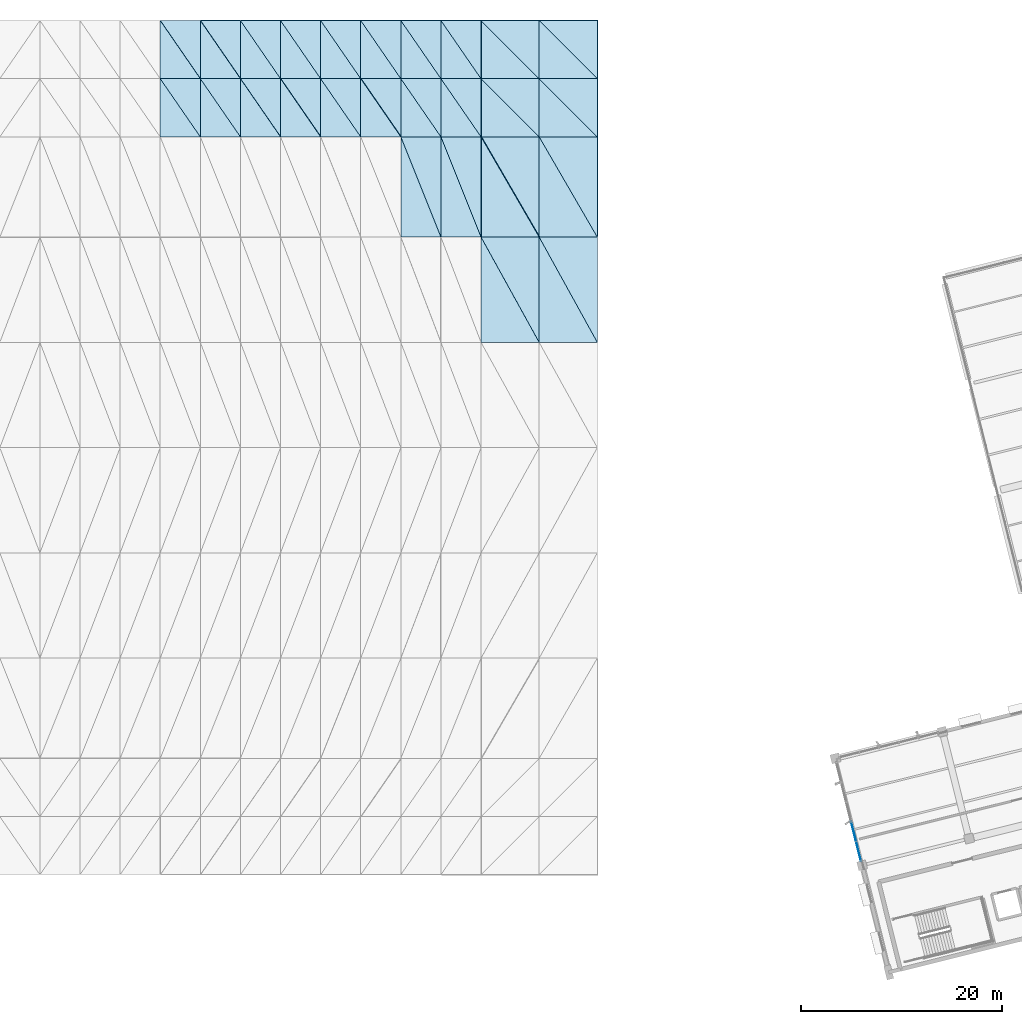
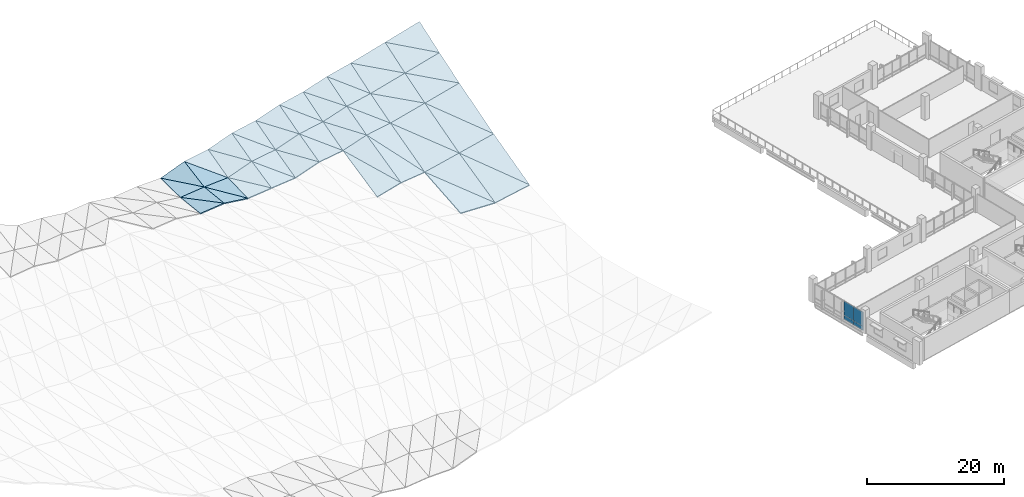
# One storey, part 32 of 42: 52 slabs, 4 plates, 3 elements without a shape of their own.
"""IFC4 building model written with IfcOpenShell, lengths in metres."""

from ifc_helpers import new_model, si_unit, direction, frame, origin, origin_2d, place, context, subcontext, project, spatial, polyline, rectangle, outline, extrude, material, layer, layer_set, type_object, element, aggregate, save


model = new_model("IFC4")

# Units and contexts
model_context = context("Model", 3, precision=1e-05, world=origin(), true_north=direction((0.0, 1.0)))
body_context = subcontext(model_context, "Body", "Model", "MODEL_VIEW")
ifc_project = project(units=[si_unit("LENGTHUNIT", "METRE"), si_unit("AREAUNIT", "SQUARE_METRE"), si_unit("VOLUMEUNIT", "CUBIC_METRE"), si_unit("PLANEANGLEUNIT", "RADIAN"), si_unit("MASSUNIT", "GRAM", prefix="KILO")], contexts=[model_context])

# Site, building, storey
site_placement = place(None, origin())
site = spatial("IfcSite", under=ifc_project, at=site_placement, CompositionType="ELEMENT")
building_placement = place(site_placement, origin())
building = spatial("IfcBuilding", under=site, at=building_placement, Name="Khorjan Park Terminus", CompositionType="ELEMENT")
storey_placement = place(building_placement, frame((0.0, 0.0, 20.4)))
storey = spatial("IfcBuildingStorey", under=building, at=storey_placement, Name="L04", CompositionType="ELEMENT", Elevation=20.4)

# Curtain wall, plates
ifc_material_1 = material(Name="Anodized Bronze Aluminium", Category="aluminium")
ifc_layer_1 = layer(ifc_material_1, 0.22)
ifc_layer_set_1 = layer_set([ifc_layer_1], Name="Anodized Bronze Aluminium")
curtain_wall_type = type_object("IfcCurtainWallType", Name="CW-OPS-B", PredefinedType="NOTDEFINED", material=ifc_layer_set_1)
curtain_wall_placement = place(storey_placement, origin())
curtain_wall = element("IfcCurtainWall", 1, at=curtain_wall_placement, inside=storey, type_object=curtain_wall_type, Name="Unitized curtain wall CW-B (CW-V5-W-L04-B01)", PredefinedType="NOTDEFINED")
ifc_material_2 = material(Name="Acoustic Laminated Solar Glazing", Category="glass")
ifc_layer_2 = layer(ifc_material_2, 0.036)
ifc_layer_set_2 = layer_set([ifc_layer_2], Name="Acoustic Laminated Solar Glazing")
plate_type_1 = type_object("IfcPlateType", Name="GL-VIS-36", PredefinedType="CURTAIN_PANEL", material=ifc_layer_set_2)
plate_1_placement = place(storey_placement, frame((173.1722, 18.7032, 0.716), z_axis=(0.0, 0.0, 1.0), x_axis=(0.241927656308, -0.970294289952, 0.0)))
plate_1 = element("IfcPlate", 2, at=plate_1_placement, type_object=plate_type_1, Name="Curtain-wall panel VP-36 (CW-V5-W-L04-B01-3-2)", PredefinedType="CURTAIN_PANEL", context=body_context, shape_type="SweptSolid", body=[
    extrude(rectangle(XDim=2.0281, YDim=0.036, at=origin_2d()), origin(), (0.0, 0.0, 1.0), 2.549),
])
plate_2_placement = place(storey_placement, frame((173.6628, 16.7353, 0.716), z_axis=(0.0, 0.0, 1.0), x_axis=(0.241927656308, -0.970294289952, 0.0)))
plate_2 = element("IfcPlate", 3, at=plate_2_placement, type_object=plate_type_1, Name="Curtain-wall panel VP-36 (CW-V5-W-L04-B01-4-2)", PredefinedType="CURTAIN_PANEL", context=body_context, shape_type="SweptSolid", body=[
    extrude(rectangle(XDim=2.0281, YDim=0.036, at=origin_2d()), origin(), (0.0, 0.0, 1.0), 2.549),
])

# Roof, slabs
ifc_material_3 = material(Name="Concrete C50/60", Category="concrete")
ifc_layer_3 = layer(ifc_material_3, 0.18)
ifc_layer_set_3 = layer_set([ifc_layer_3], Name="Concrete C50/60")
roof_type = type_object("IfcRoofType", Name="RF-SHELL-UPPER", PredefinedType="FREEFORM", material=ifc_layer_set_3)
roof_1_placement = place(storey_placement, origin())
roof_1 = element("IfcRoof", 4, at=roof_1_placement, inside=storey, type_object=roof_type, Name="Upper concourse upturned-corner folded concrete shell roof RF-CS1 (3)", PredefinedType="FREEFORM")
ifc_layer_4 = layer(ifc_material_3, 0.18)
ifc_layer_set_4 = layer_set([ifc_layer_4], Name="Concrete C50/60")
slab_type = type_object("IfcSlabType", Name="SL-SHL-180", PredefinedType="ROOF", material=ifc_layer_set_4)
slab_1_placement = place(storey_placement, frame((104.0, 88.0, 1.5077), z_axis=(-0.106052306747, 0.113064775579, 0.987911567276), x_axis=(0.994287316425, 0.0, 0.106736743418)))
slab_1 = element("IfcSlab", 5, at=slab_1_placement, type_object=slab_type, Name="Upper concourse folded concrete shell facet RS-18 (337)", PredefinedType="ROOF", context=body_context, shape_type="SweptSolid", body=[
    extrude(outline(polyline([(0.0, 0.0), (4.022982023325484, 0.0), (-0.07085185028104683, 5.837431837316109), (0.0, 0.0)])), origin(), (0.0, 0.0, -1.0), 0.18),
])
slab_2_placement = place(storey_placement, frame((108.0, 88.0, 1.9371), z_axis=(-0.111909060679, 0.108990167749, 0.987723395224), x_axis=(0.0, 0.993967046792, -0.109679122405)))
slab_2 = element("IfcSlab", 6, at=slab_2_placement, type_object=slab_type, Name="Upper concourse folded concrete shell facet RS-18 (338)", PredefinedType="ROOF", context=body_context, shape_type="SweptSolid", body=[
    extrude(outline(polyline([(0.0, 0.0), (5.8352035097329695, 1.3877787807814457e-17), (5.8849100880067535, 4.025285020476974), (0.0, 0.0)])), origin(), (0.0, 0.0, -1.0), 0.18),
])
slab_3_placement = place(storey_placement, frame((104.0, 93.8, 0.8439), z_axis=(-0.112567782973, 0.014560461321, 0.993537360748), x_axis=(0.993642695952, 0.0, 0.112579717451)))
slab_3 = element("IfcSlab", 7, at=slab_3_placement, type_object=slab_type, Name="Upper concourse folded concrete shell facet RS-18 (339)", PredefinedType="ROOF", context=body_context, shape_type="SweptSolid", body=[
    extrude(outline(polyline([(0.0, 0.0), (4.025591911756581, -8.673617379884035e-19), (-0.009569275983364914, 5.800614918175238), (0.0, 0.0)])), origin(), (0.0, 0.0, -1.0), 0.18),
])
slab_4_placement = place(storey_placement, frame((108.0, 93.8, 1.2971), z_axis=(-0.360874271087, -0.163681902497, 0.918138331224), x_axis=(0.0, 0.9844778899, 0.17550864451)))
slab_4 = element("IfcSlab", 8, at=slab_4_placement, type_object=slab_type, Name="Upper concourse folded concrete shell facet RS-18 (340)", PredefinedType="ROOF", context=body_context, shape_type="SweptSolid", body=[
    extrude(outline(polyline([(0.0, 0.0), (5.891447699844239, 0.0), (5.615513008945942, 4.289017706463669), (0.0, 0.0)])), origin(), (0.0, 0.0, -1.0), 0.18),
])
slab_5_placement = place(storey_placement, frame((108.0, 88.0, 1.9371), z_axis=(0.129240848662, 0.108759269115, 0.985630876352), x_axis=(0.9915124119, 0.0, -0.13001206501)))
slab_5 = element("IfcSlab", 9, at=slab_5_placement, type_object=slab_type, Name="Upper concourse folded concrete shell facet RS-18 (357)", PredefinedType="ROOF", context=body_context, shape_type="SweptSolid", body=[
    extrude(outline(polyline([(0.0, 0.0), (4.034240975697907, 6.938893903907228e-18), (0.08320772160664718, 5.834610224776373), (0.0, 0.0)])), origin(), (0.0, 0.0, -1.0), 0.18),
])
slab_6_placement = place(storey_placement, frame((112.0, 88.0, 1.4126), z_axis=(-0.065984038894, -0.02564240154, 0.997491139737), x_axis=(0.0, 0.999669741413, 0.025698406628)))
slab_6 = element("IfcSlab", 10, at=slab_6_placement, type_object=slab_type, Name="Upper concourse folded concrete shell facet RS-18 (358)", PredefinedType="ROOF", context=body_context, shape_type="SweptSolid", body=[
    extrude(outline(polyline([(0.0, 0.0), (5.801916132623771, 0.0), (5.795116334229898, 4.008736324921085), (0.0, 0.0)])), origin(), (0.0, 0.0, -1.0), 0.18),
])
slab_7_placement = place(storey_placement, frame((108.0, 93.8, 1.2971), z_axis=(-0.064985555279, -0.175137655168, 0.9823969052), x_axis=(0.9978192431, 0.0, 0.066005742931)))
slab_7 = element("IfcSlab", 11, at=slab_7_placement, type_object=slab_type, Name="Upper concourse folded concrete shell facet RS-18 (359)", PredefinedType="ROOF", context=body_context, shape_type="SweptSolid", body=[
    extrude(outline(polyline([(0.0, 0.0), (4.00874209197848, 6.938893903907228e-18), (0.06824993819070337, 5.891052363197677), (0.0, 0.0)])), origin(), (0.0, 0.0, -1.0), 0.18),
])
slab_8_placement = place(storey_placement, frame((112.0, 93.8, 1.5617), z_axis=(-0.177038961691, -0.248427917344, 0.952334382414), x_axis=(0.0, 0.967619044028, 0.252415105796)))
slab_8 = element("IfcSlab", 12, at=slab_8_placement, type_object=slab_type, Name="Upper concourse folded concrete shell facet RS-18 (360)", PredefinedType="ROOF", context=body_context, shape_type="SweptSolid", body=[
    extrude(outline(polyline([(0.0, 0.0), (5.9940945104327445, 5.551115123125783e-17), (5.806398637763101, 4.064198717998762), (0.0, 0.0)])), origin(), (0.0, 0.0, -1.0), 0.18),
])
slab_9_placement = place(storey_placement, frame((112.0, 88.0, 1.4126), z_axis=(-0.106701894098, -0.025551695887, 0.993962683723), x_axis=(0.994287316425, 0.0, 0.106736743418)))
slab_9 = element("IfcSlab", 13, at=slab_9_placement, type_object=slab_type, Name="Upper concourse folded concrete shell facet RS-18 (377)", PredefinedType="ROOF", context=body_context, shape_type="SweptSolid", body=[
    extrude(outline(polyline([(0.0, 0.0), (4.022982023325484, 1.734723475976807e-18), (0.015914448443663996, 5.80189430620127), (0.0, 0.0)])), origin(), (0.0, 0.0, -1.0), 0.18),
])
slab_10_placement = place(storey_placement, frame((116.0, 88.0, 1.842), z_axis=(-0.342548023853, -0.191792388171, 0.919715462083), x_axis=(0.0, 0.978941084388, 0.204142972684)))
slab_10 = element("IfcSlab", 14, at=slab_10_placement, type_object=slab_type, Name="Upper concourse folded concrete shell facet RS-18 (378)", PredefinedType="ROOF", context=body_context, shape_type="SweptSolid", body=[
    extrude(outline(polyline([(0.0, 0.0), (5.924769214914617, -5.551115123125783e-17), (5.620637014209824, 4.257582370840811), (0.0, 0.0)])), origin(), (0.0, 0.0, -1.0), 0.18),
])
slab_11_placement = place(storey_placement, frame((112.0, 93.8, 1.5617), z_axis=(-0.339044014736, -0.237464688292, 0.91030746338), x_axis=(0.937112467786, 0.0, 0.349027538627)))
slab_11 = element("IfcSlab", 15, at=slab_11_placement, type_object=slab_type, Name="Upper concourse folded concrete shell facet RS-18 (379)", PredefinedType="ROOF", context=body_context, shape_type="SweptSolid", body=[
    extrude(outline(polyline([(0.0, 0.0), (4.268431098190528, 0.0), (0.5280786659425144, 5.970787378778142), (0.0, 0.0)])), origin(), (0.0, 0.0, -1.0), 0.18),
])
slab_12_placement = place(storey_placement, frame((116.0, 93.8, 3.0515), z_axis=(-0.338798545373, -0.237295940621, 0.910442849507), x_axis=(0.0, 0.967671996782, 0.252212027161)))
slab_12 = element("IfcSlab", 16, at=slab_12_placement, type_object=slab_type, Name="Upper concourse folded concrete shell facet RS-18 (380)", PredefinedType="ROOF", context=body_context, shape_type="SweptSolid", body=[
    extrude(outline(polyline([(0.0, 0.0), (5.993766502792711, 0.0), (5.618348900363326, 4.251434331350559), (0.0, 0.0)])), origin(), (0.0, 0.0, -1.0), 0.18),
])
slab_13_placement = place(storey_placement, frame((116.0, 88.0, 1.842), z_axis=(-0.100756100536, -0.203104120929, 0.973959405862), x_axis=(0.994691618291, 0.0, 0.102900847912)))
slab_13 = element("IfcSlab", 17, at=slab_13_placement, type_object=slab_type, Name="Upper concourse folded concrete shell facet RS-18 (397)", PredefinedType="ROOF", context=body_context, shape_type="SweptSolid", body=[
    extrude(outline(polyline([(0.0, 0.0), (4.021346844031238, 0.0), (0.12445857554984618, 5.923461852073674), (0.0, 0.0)])), origin(), (0.0, 0.0, -1.0), 0.18),
])
slab_14_placement = place(storey_placement, frame((120.0, 88.0, 2.2558), z_axis=(-0.162921516608, -0.243528367821, 0.956112186667), x_axis=(0.0, 0.969059763172, 0.246826204851)))
slab_14 = element("IfcSlab", 18, at=slab_14_placement, type_object=slab_type, Name="Upper concourse folded concrete shell facet RS-18 (398)", PredefinedType="ROOF", context=body_context, shape_type="SweptSolid", body=[
    extrude(outline(polyline([(0.0, 0.0), (5.985182978823619, -2.7755575615628914e-17), (5.816946237597386, 4.054167603701353), (0.0, 0.0)])), origin(), (0.0, 0.0, -1.0), 0.18),
])
slab_15_placement = place(storey_placement, frame((116.0, 93.8, 3.0515), z_axis=(-0.162694380811, -0.248851683131, 0.954779230113), x_axis=(0.985790621278, 0.0, 0.167978721866)))
slab_15 = element("IfcSlab", 19, at=slab_15_placement, type_object=slab_type, Name="Upper concourse folded concrete shell facet RS-18 (399)", PredefinedType="ROOF", context=body_context, shape_type="SweptSolid", body=[
    extrude(outline(polyline([(0.0, 0.0), (4.057656781937082, -2.7755575615628914e-17), (0.2539334338445723, 5.98838498271244), (0.0, 0.0)])), origin(), (0.0, 0.0, -1.0), 0.18),
])
slab_16_placement = place(storey_placement, frame((120.0, 93.8, 3.7331), z_axis=(-0.19504550156, -0.26948354163, 0.94304606097), x_axis=(0.0, 0.961512686437, 0.274760539052)))
slab_16 = element("IfcSlab", 20, at=slab_16_placement, type_object=slab_type, Name="Upper concourse folded concrete shell facet RS-18 (400)", PredefinedType="ROOF", context=body_context, shape_type="SweptSolid", body=[
    extrude(outline(polyline([(0.0, 0.0), (6.032161698761065, 5.551115123125783e-17), (5.804852304803402, 4.07832756524272), (0.0, 0.0)])), origin(), (0.0, 0.0, -1.0), 0.18),
])
slab_17_placement = place(storey_placement, frame((120.0, 88.0, 2.2558), z_axis=(-0.324587654526, -0.233461953105, 0.916590623442), x_axis=(0.942639584618, 0.0, 0.333812242903)))
slab_17 = element("IfcSlab", 21, at=slab_17_placement, type_object=slab_type, Name="Upper concourse folded concrete shell facet RS-18 (417)", PredefinedType="ROOF", context=body_context, shape_type="SweptSolid", body=[
    extrude(outline(polyline([(0.0, 0.0), (4.243403380542557, 0.0), (0.49314082644022433, 5.964832555512169), (0.0, 0.0)])), origin(), (0.0, 0.0, -1.0), 0.18),
])
slab_18_placement = place(storey_placement, frame((124.0, 88.0, 3.6723), z_axis=(-0.324182150725, -0.233184539685, 0.916804724902), x_axis=(0.0, 0.969143637931, 0.246496671496)))
slab_18 = element("IfcSlab", 22, at=slab_18_placement, type_object=slab_type, Name="Upper concourse folded concrete shell facet RS-18 (418)", PredefinedType="ROOF", context=body_context, shape_type="SweptSolid", body=[
    extrude(outline(polyline([(0.0, 0.0), (5.984664989788483, -1.1102230246251565e-16), (5.636020097624895, 4.228353592022342), (0.0, 0.0)])), origin(), (0.0, 0.0, -1.0), 0.18),
])
slab_19_placement = place(storey_placement, frame((120.0, 93.8, 3.7331), z_axis=(-0.321894998392, -0.260136512295, 0.910336533915), x_axis=(0.942795230781, 0.0, 0.333372393604)))
slab_19 = element("IfcSlab", 23, at=slab_19_placement, type_object=slab_type, Name="Upper concourse folded concrete shell facet RS-18 (419)", PredefinedType="ROOF", context=body_context, shape_type="SweptSolid", body=[
    extrude(outline(polyline([(0.0, 0.0), (4.2427028366360995, -5.551115123125783e-17), (0.5525314051593266, 6.0068031269813265), (0.0, 0.0)])), origin(), (0.0, 0.0, -1.0), 0.18),
])
slab_20_placement = place(storey_placement, frame((124.0, 93.8, 5.1475), z_axis=(-0.320059797691, -0.258912563151, 0.911331997981), x_axis=(0.0, 0.961932186661, 0.273288251238)))
slab_20 = element("IfcSlab", 24, at=slab_20_placement, type_object=slab_type, Name="Upper concourse folded concrete shell facet RS-18 (420)", PredefinedType="ROOF", context=body_context, shape_type="SweptSolid", body=[
    extrude(outline(polyline([(0.0, 0.0), (6.029531063026375, -1.1102230246251565e-16), (5.645615727687158, 4.22209332621762), (0.0, 0.0)])), origin(), (0.0, 0.0, -1.0), 0.18),
])
aggregate(roof_1, [slab_1, slab_2, slab_3, slab_4, slab_5, slab_6, slab_7, slab_8, slab_9, slab_10, slab_11, slab_12, slab_13, slab_14, slab_15, slab_16, slab_17, slab_18, slab_19, slab_20])

roof_2_placement = place(storey_placement, origin())
roof_2 = element("IfcRoof", 25, at=roof_2_placement, inside=storey, type_object=roof_type, Name="Upper concourse upturned-corner folded concrete shell roof RF-CS1 (4)", PredefinedType="FREEFORM")
slab_21_placement = place(storey_placement, frame((124.0, 88.0, 3.6723), z_axis=(-0.150588125048, -0.243685768742, 0.958092095107), x_axis=(0.987872255403, 0.0, 0.155268821743)))
slab_21 = element("IfcSlab", 26, at=slab_21_placement, type_object=slab_type, Name="Upper concourse folded concrete shell facet RS-18 (437)", PredefinedType="ROOF", context=body_context, shape_type="SweptSolid", body=[
    extrude(outline(polyline([(0.0, 0.0), (4.049106529840874, -2.7755575615628914e-17), (0.22905256583517253, 5.980280090604813), (0.0, 0.0)])), origin(), (0.0, 0.0, -1.0), 0.18),
])
slab_22_placement = place(storey_placement, frame((128.0, 88.0, 4.301), z_axis=(-0.183120010139, -0.264480198647, 0.946845967626), x_axis=(0.0, 0.963131983886, 0.269029332258)))
slab_22 = element("IfcSlab", 27, at=slab_22_placement, type_object=slab_type, Name="Upper concourse folded concrete shell facet RS-18 (438)", PredefinedType="ROOF", context=body_context, shape_type="SweptSolid", body=[
    extrude(outline(polyline([(0.0, 0.0), (6.022019927731889, -5.551115123125783e-17), (5.8138988362973665, 4.0688011221120295), (0.0, 0.0)])), origin(), (0.0, 0.0, -1.0), 0.18),
])
slab_23_placement = place(storey_placement, frame((124.0, 93.8, 5.1475), z_axis=(-0.182899528661, -0.268678318411, 0.945705939302), x_axis=(0.981807019959, 0.0, 0.18988147766)))
slab_23 = element("IfcSlab", 28, at=slab_23_placement, type_object=slab_type, Name="Upper concourse folded concrete shell facet RS-18 (439)", PredefinedType="ROOF", context=body_context, shape_type="SweptSolid", body=[
    extrude(outline(polyline([(0.0, 0.0), (4.074120390955574, 2.7755575615628914e-17), (0.312886698888399, 6.0214073731693905), (0.0, 0.0)])), origin(), (0.0, 0.0, -1.0), 0.18),
])
slab_24_placement = place(storey_placement, frame((128.0, 93.8, 5.9211), z_axis=(-0.212692000557, -0.287442945906, 0.933883646793), x_axis=(0.0, 0.955751926517, 0.294173851589)))
slab_24 = element("IfcSlab", 29, at=slab_24_placement, type_object=slab_type, Name="Upper concourse folded concrete shell facet RS-18 (440)", PredefinedType="ROOF", context=body_context, shape_type="SweptSolid", body=[
    extrude(outline(polyline([(0.0, 0.0), (6.0685203336563, 0.0), (5.800527954858397, 4.0936659713399), (0.0, 0.0)])), origin(), (0.0, 0.0, -1.0), 0.18),
])
slab_25_placement = place(storey_placement, frame((128.0, 78.0, 2.1208), z_axis=(-0.264906950261, -0.205405933301, 0.942142616735), x_axis=(0.962669755627, 0.0, 0.270678668538)))
slab_25 = element("IfcSlab", 30, at=slab_25_placement, type_object=slab_type, Name="Upper concourse folded concrete shell facet RS-18 (455)", PredefinedType="ROOF", context=body_context, shape_type="SweptSolid", body=[
    extrude(outline(polyline([(0.0, 0.0), (4.1551113210117485, 2.7755575615628914e-17), (0.5901336331472646, 10.217877193185892), (0.0, 0.0)])), origin(), (0.0, 0.0, -1.0), 0.18),
])
slab_26_placement = place(storey_placement, frame((132.0, 78.0, 3.2455), z_axis=(-0.311681983552, -0.222184563303, 0.923844338057), x_axis=(0.0, 0.972276874477, 0.233832588312)))
slab_26 = element("IfcSlab", 31, at=slab_26_placement, type_object=slab_type, Name="Upper concourse folded concrete shell facet RS-18 (456)", PredefinedType="ROOF", context=body_context, shape_type="SweptSolid", body=[
    extrude(outline(polyline([(0.0, 0.0), (10.285136119663171, 0.0), (9.9695790417364, 4.209699987002674), (0.0, 0.0)])), origin(), (0.0, 0.0, -1.0), 0.18),
])
slab_27_placement = place(storey_placement, frame((128.0, 88.0, 4.301), z_axis=(-0.309031581188, -0.255860824409, 0.915988384403), x_axis=(0.947528159205, 0.0, 0.319672312712)))
slab_27 = element("IfcSlab", 32, at=slab_27_placement, type_object=slab_type, Name="Upper concourse folded concrete shell facet RS-18 (457)", PredefinedType="ROOF", context=body_context, shape_type="SweptSolid", body=[
    extrude(outline(polyline([(0.0, 0.0), (4.221510422822618, 0.0), (0.5179011138241282, 5.999708530112084), (0.0, 0.0)])), origin(), (0.0, 0.0, -1.0), 0.18),
])
slab_28_placement = place(storey_placement, frame((132.0, 88.0, 5.6505), z_axis=(-0.306984365035, -0.254498742736, 0.917055608766), x_axis=(0.0, 0.963582621703, 0.267410791016)))
slab_28 = element("IfcSlab", 33, at=slab_28_placement, type_object=slab_type, Name="Upper concourse folded concrete shell facet RS-18 (458)", PredefinedType="ROOF", context=body_context, shape_type="SweptSolid", body=[
    extrude(outline(polyline([(0.0, 0.0), (6.019203615097265, 0.0), (5.661140565926735, 4.202940857639887), (0.0, 0.0)])), origin(), (0.0, 0.0, -1.0), 0.18),
])
slab_29_placement = place(storey_placement, frame((128.0, 93.8, 5.9211), z_axis=(-0.304722123634, -0.280183325236, 0.910297606076), x_axis=(0.948279508814, 0.0, 0.317436565575)))
slab_29 = element("IfcSlab", 34, at=slab_29_placement, type_object=slab_type, Name="Upper concourse folded concrete shell facet RS-18 (459)", PredefinedType="ROOF", context=body_context, shape_type="SweptSolid", body=[
    extrude(outline(polyline([(0.0, 0.0), (4.218165596559718, -5.551115123125783e-17), (0.5666877568651083, 6.042003312331032), (0.0, 0.0)])), origin(), (0.0, 0.0, -1.0), 0.18),
])
slab_30_placement = place(storey_placement, frame((132.0, 93.8, 7.2601), z_axis=(-0.301256550335, -0.277934898247, 0.912138521945), x_axis=(0.0, 0.956578153844, 0.291475960567)))
slab_30 = element("IfcSlab", 35, at=slab_30_placement, type_object=slab_type, Name="Upper concourse folded concrete shell facet RS-18 (460)", PredefinedType="ROOF", context=body_context, shape_type="SweptSolid", body=[
    extrude(outline(polyline([(0.0, 0.0), (6.0632787574051035, 1.1102230246251565e-16), (5.67820986590007, 4.19488106610844), (0.0, 0.0)])), origin(), (0.0, 0.0, -1.0), 0.18),
])
slab_31_placement = place(storey_placement, frame((132.0, 78.0, 3.2455), z_axis=(-0.114910383144, -0.232283649053, 0.9658363786), x_axis=(0.992996736267, 0.0, 0.118141786697)))
slab_31 = element("IfcSlab", 36, at=slab_31_placement, type_object=slab_type, Name="Upper concourse folded concrete shell facet RS-18 (475)", PredefinedType="ROOF", context=body_context, shape_type="SweptSolid", body=[
    extrude(outline(polyline([(0.0, 0.0), (4.028210621355344, 0.0), (0.2841309970070315, 10.281210754407276), (0.0, 0.0)])), origin(), (0.0, 0.0, -1.0), 0.18),
])
slab_32_placement = place(storey_placement, frame((136.0, 78.0, 3.7214), z_axis=(-0.173486345816, -0.253003102153, 0.951783545832), x_axis=(0.0, 0.966438351588, 0.256898642619)))
slab_32 = element("IfcSlab", 37, at=slab_32_placement, type_object=slab_type, Name="Upper concourse folded concrete shell facet RS-18 (476)", PredefinedType="ROOF", context=body_context, shape_type="SweptSolid", body=[
    extrude(outline(polyline([(0.0, 0.0), (10.347271487691815, 0.0), (10.159966687358184, 4.0615888174176344), (0.0, 0.0)])), origin(), (0.0, 0.0, -1.0), 0.18),
])
slab_33_placement = place(storey_placement, frame((132.0, 88.0, 5.6505), z_axis=(-0.172989073563, -0.263379237329, 0.949055402899), x_axis=(0.983790717148, 0.0, 0.179320452968)))
slab_33 = element("IfcSlab", 38, at=slab_33_placement, type_object=slab_type, Name="Upper concourse folded concrete shell facet RS-18 (477)", PredefinedType="ROOF", context=body_context, shape_type="SweptSolid", body=[
    extrude(outline(polyline([(0.0, 0.0), (4.065905410852545, 2.7755575615628914e-17), (0.28863420109764065, 6.012279306382622), (0.0, 0.0)])), origin(), (0.0, 0.0, -1.0), 0.18),
])
slab_34_placement = place(storey_placement, frame((136.0, 88.0, 6.3796), z_axis=(-0.202924788483, -0.282288812043, 0.937621755728), x_axis=(0.0, 0.95754410517, 0.288286813181)))
slab_34 = element("IfcSlab", 39, at=slab_34_placement, type_object=slab_type, Name="Upper concourse folded concrete shell facet RS-18 (478)", PredefinedType="ROOF", context=body_context, shape_type="SweptSolid", body=[
    extrude(outline(polyline([(0.0, 0.0), (6.057162243163045, -5.551115123125783e-17), (5.807592348992504, 4.084990986272026), (0.0, 0.0)])), origin(), (0.0, 0.0, -1.0), 0.18),
])
slab_35_placement = place(storey_placement, frame((132.0, 93.8, 7.2601), z_axis=(-0.202728499291, -0.285423457833, 0.936714793998), x_axis=(0.977371995553, 0.0, 0.211527734137)))
slab_35 = element("IfcSlab", 40, at=slab_35_placement, type_object=slab_type, Name="Upper concourse folded concrete shell facet RS-18 (479)", PredefinedType="ROOF", context=body_context, shape_type="SweptSolid", body=[
    extrude(outline(polyline([(0.0, 0.0), (4.09260754165361, 0.0), (0.37383296454118975, 6.051743402080289), (0.0, 0.0)])), origin(), (0.0, 0.0, -1.0), 0.18),
])
slab_36_placement = place(storey_placement, frame((136.0, 93.8, 8.1258), z_axis=(-0.230024559333, -0.302427397526, 0.925000741259), x_axis=(0.0, 0.950488250775, 0.310760494818)))
slab_36 = element("IfcSlab", 41, at=slab_36_placement, type_object=slab_type, Name="Upper concourse folded concrete shell facet RS-18 (480)", PredefinedType="ROOF", context=body_context, shape_type="SweptSolid", body=[
    extrude(outline(polyline([(0.0, 0.0), (6.102126980815785, 1.6653345369377348e-16), (5.793013516620415, 4.11021616904186), (0.0, 0.0)])), origin(), (0.0, 0.0, -1.0), 0.18),
])
slab_37_placement = place(storey_placement, frame((136.0, 67.5, 2.8009), z_axis=(0.032770428651, -0.087284812056, 0.99564424399), x_axis=(0.999458780806, 0.0, -0.032895979527)))
slab_37 = element("IfcSlab", 42, at=slab_37_placement, type_object=slab_type, Name="Upper concourse folded concrete shell facet RS-18 (493)", PredefinedType="ROOF", context=body_context, shape_type="SweptSolid", body=[
    extrude(outline(polyline([(0.0, 0.0), (5.803140771168672, -3.469446951953614e-18), (-0.03028074915449812, 10.540227859312656), (0.0, 0.0)])), origin(), (0.0, 0.0, -1.0), 0.18),
])
slab_38_placement = place(storey_placement, frame((141.8, 67.5, 2.61), z_axis=(-0.222900399784, -0.223560551112, 0.948860417429), x_axis=(0.0, 0.973348678928, 0.229330218743)))
slab_38 = element("IfcSlab", 43, at=slab_38_placement, type_object=slab_type, Name="Upper concourse folded concrete shell facet RS-18 (494)", PredefinedType="ROOF", context=body_context, shape_type="SweptSolid", body=[
    extrude(outline(polyline([(0.0, 0.0), (10.787501156894491, 0.0), (10.475038733857279, 5.949686839169759), (0.0, 0.0)])), origin(), (0.0, 0.0, -1.0), 0.18),
])
slab_39_placement = place(storey_placement, frame((136.0, 78.0, 3.7214), z_axis=(-0.221395740689, -0.250523458042, 0.942455263116), x_axis=(0.973499651722, 0.0, 0.228688495771)))
slab_39 = element("IfcSlab", 44, at=slab_39_placement, type_object=slab_type, Name="Upper concourse folded concrete shell facet RS-18 (495)", PredefinedType="ROOF", context=body_context, shape_type="SweptSolid", body=[
    extrude(outline(polyline([(0.0, 0.0), (5.957886055473042, -5.551115123125783e-17), (0.6078997594579587, 10.329399068796352), (0.0, 0.0)])), origin(), (0.0, 0.0, -1.0), 0.18),
])
slab_40_placement = place(storey_placement, frame((141.8, 78.0, 5.0839), z_axis=(-0.245744419081, -0.263402504219, 0.932860547596), x_axis=(0.0, 0.962372013893, 0.271735361843)))
slab_40 = element("IfcSlab", 45, at=slab_40_placement, type_object=slab_type, Name="Upper concourse folded concrete shell facet RS-18 (496)", PredefinedType="ROOF", context=body_context, shape_type="SweptSolid", body=[
    extrude(outline(polyline([(0.0, 0.0), (10.390992106627742, 0.0), (9.975807647268152, 5.9834856291885945), (0.0, 0.0)])), origin(), (0.0, 0.0, -1.0), 0.18),
])
slab_41_placement = place(storey_placement, frame((136.0, 88.0, 6.3796), z_axis=(-0.244585523529, -0.279530886305, 0.9284613106), x_axis=(0.967009499939, 0.0, 0.254740312923)))
slab_41 = element("IfcSlab", 46, at=slab_41_placement, type_object=slab_type, Name="Upper concourse folded concrete shell facet RS-18 (497)", PredefinedType="ROOF", context=body_context, shape_type="SweptSolid", body=[
    extrude(outline(polyline([(0.0, 0.0), (5.997872823760116, -1.6653345369377348e-16), (0.4448275344270146, 6.040806477997417), (0.0, 0.0)])), origin(), (0.0, 0.0, -1.0), 0.18),
])
slab_42_placement = place(storey_placement, frame((141.8, 88.0, 7.9075), z_axis=(-0.255776881502, -0.29048139591, 0.922062224321), x_axis=(0.0, 0.953789220294, 0.300476493676)))
slab_42 = element("IfcSlab", 47, at=slab_42_placement, type_object=slab_type, Name="Upper concourse folded concrete shell facet RS-18 (498)", PredefinedType="ROOF", context=body_context, shape_type="SweptSolid", body=[
    extrude(outline(polyline([(0.0, 0.0), (6.08100812694737, 0.0), (5.597571496272162, 5.999570670816498), (0.0, 0.0)])), origin(), (0.0, 0.0, -1.0), 0.18),
])
slab_43_placement = place(storey_placement, frame((136.0, 93.8, 8.1258), z_axis=(-0.254949295013, -0.300491235088, 0.919078818496), x_axis=(0.963612582455, 0.0, 0.267302807571)))
slab_43 = element("IfcSlab", 48, at=slab_43_placement, type_object=slab_type, Name="Upper concourse folded concrete shell facet RS-18 (499)", PredefinedType="ROOF", context=body_context, shape_type="SweptSolid", body=[
    extrude(outline(polyline([(0.0, 0.0), (6.019016465337184, 0.0), (0.5068863139966645, 6.081037736659988), (0.0, 0.0)])), origin(), (0.0, 0.0, -1.0), 0.18),
])
slab_44_placement = place(storey_placement, frame((141.8, 93.8, 9.7347), z_axis=(-0.264398728306, -0.30965673576, 0.913348793435), x_axis=(0.0, 0.947051068771, 0.321082969247)))
slab_44 = element("IfcSlab", 49, at=slab_44_placement, type_object=slab_type, Name="Upper concourse folded concrete shell facet RS-18 (500)", PredefinedType="ROOF", context=body_context, shape_type="SweptSolid", body=[
    extrude(outline(polyline([(0.0, 0.0), (6.124273749596761, -5.551115123125783e-17), (5.5851754442315915, 6.01401812577519), (0.0, 0.0)])), origin(), (0.0, 0.0, -1.0), 0.18),
])
slab_45_placement = place(storey_placement, frame((141.8, 67.5, 2.61), z_axis=(-0.19057478354, -0.225127210581, 0.955509806823), x_axis=(0.980684589092, 0.0, 0.195595850459)))
slab_45 = element("IfcSlab", 50, at=slab_45_placement, type_object=slab_type, Name="Upper concourse folded concrete shell facet RS-18 (513)", PredefinedType="ROOF", context=body_context, shape_type="SweptSolid", body=[
    extrude(outline(polyline([(0.0, 0.0), (5.914235896546553, 0.0), (0.4838845744504475, 10.77664311966435), (0.0, 0.0)])), origin(), (0.0, 0.0, -1.0), 0.18),
])
slab_46_placement = place(storey_placement, frame((147.6, 67.5, 3.7668), z_axis=(-0.226820611716, -0.243577733356, 0.942985841842), x_axis=(0.0, 0.968221018632, 0.250096099689)))
slab_46 = element("IfcSlab", 51, at=slab_46_placement, type_object=slab_type, Name="Upper concourse folded concrete shell facet RS-18 (514)", PredefinedType="ROOF", context=body_context, shape_type="SweptSolid", body=[
    extrude(outline(polyline([(0.0, 0.0), (10.844631337210133, 0.0), (10.495722268534184, 5.955213385916199), (0.0, 0.0)])), origin(), (0.0, 0.0, -1.0), 0.18),
])
slab_47_placement = place(storey_placement, frame((141.8, 78.0, 5.0839), z_axis=(-0.225520282172, -0.26473504399, 0.9375798413), x_axis=(0.972269251704, 0.0, 0.233864281561)))
slab_47 = element("IfcSlab", 52, at=slab_47_placement, type_object=slab_type, Name="Upper concourse folded concrete shell facet RS-18 (515)", PredefinedType="ROOF", context=body_context, shape_type="SweptSolid", body=[
    extrude(outline(polyline([(0.0, 0.0), (5.965425719091623, 0.0), (0.6603391854152277, 10.369988867892058), (0.0, 0.0)])), origin(), (0.0, 0.0, -1.0), 0.18),
])
slab_48_placement = place(storey_placement, frame((147.6, 78.0, 6.479), z_axis=(-0.247451230816, -0.276186893288, 0.928702691039), x_axis=(0.0, 0.958512081218, 0.285051907833)))
slab_48 = element("IfcSlab", 53, at=slab_48_placement, type_object=slab_type, Name="Upper concourse folded concrete shell facet RS-18 (516)", PredefinedType="ROOF", context=body_context, shape_type="SweptSolid", body=[
    extrude(outline(polyline([(0.0, 0.0), (10.432836680884064, 1.1102230246251565e-16), (9.992317462518368, 5.986167720524567), (0.0, 0.0)])), origin(), (0.0, 0.0, -1.0), 0.18),
])
slab_49_placement = place(storey_placement, frame((141.8, 88.0, 7.9075), z_axis=(-0.246306109006, -0.29121943987, 0.924404964563), x_axis=(0.96628745768, 0.0, 0.257465627086)))
slab_49 = element("IfcSlab", 54, at=slab_49_placement, type_object=slab_type, Name="Upper concourse folded concrete shell facet RS-18 (517)", PredefinedType="ROOF", context=body_context, shape_type="SweptSolid", body=[
    extrude(outline(polyline([(0.0, 0.0), (6.002354634641293, -2.220446049250313e-16), (0.47044119381139327, 6.062783595277444), (0.0, 0.0)])), origin(), (0.0, 0.0, -1.0), 0.18),
])
slab_50_placement = place(storey_placement, frame((147.6, 88.0, 9.4529), z_axis=(-0.256199804494, -0.300832040465, 0.918619477045), x_axis=(0.0, 0.950338107828, 0.311219345174)))
slab_50 = element("IfcSlab", 55, at=slab_50_placement, type_object=slab_type, Name="Upper concourse folded concrete shell facet RS-18 (518)", PredefinedType="ROOF", context=body_context, shape_type="SweptSolid", body=[
    extrude(outline(polyline([(0.0, 0.0), (6.10309104962395, 5.551115123125783e-17), (5.599662636870822, 6.000265793548873), (0.0, 0.0)])), origin(), (0.0, 0.0, -1.0), 0.18),
])
slab_51_placement = place(storey_placement, frame((141.8, 93.8, 9.7347), z_axis=(-0.255371541457, -0.310436819436, 0.915649691177), x_axis=(0.963239486929, 0.0, 0.268644171389)))
slab_51 = element("IfcSlab", 56, at=slab_51_placement, type_object=slab_type, Name="Upper concourse folded concrete shell facet RS-18 (519)", PredefinedType="ROOF", context=body_context, shape_type="SweptSolid", body=[
    extrude(outline(polyline([(0.0, 0.0), (6.021347835825448, -5.551115123125783e-17), (0.5282618986192417, 6.101448051607683), (0.0, 0.0)])), origin(), (0.0, 0.0, -1.0), 0.18),
])
slab_52_placement = place(storey_placement, frame((147.6, 93.8, 11.3523), z_axis=(-0.263585106078, -0.318346250279, 0.910592420783), x_axis=(0.0, 0.943975016582, 0.330016920883)))
slab_52 = element("IfcSlab", 57, at=slab_52_placement, type_object=slab_type, Name="Upper concourse folded concrete shell facet RS-18 (520)", PredefinedType="ROOF", context=body_context, shape_type="SweptSolid", body=[
    extrude(outline(polyline([(0.0, 0.0), (6.1442304066498, -1.1102230246251565e-16), (5.590164998178859, 6.012629768506933), (0.0, 0.0)])), origin(), (0.0, 0.0, -1.0), 0.18),
])
aggregate(roof_2, [slab_21, slab_22, slab_23, slab_24, slab_25, slab_26, slab_27, slab_28, slab_29, slab_30, slab_31, slab_32, slab_33, slab_34, slab_35, slab_36, slab_37, slab_38, slab_39, slab_40, slab_41, slab_42, slab_43, slab_44, slab_45, slab_46, slab_47, slab_48, slab_49, slab_50, slab_51, slab_52])

# Plate
ifc_material_4 = material(Name="Insulated Bronze-Composite Spandrel Panel")
ifc_layer_5 = layer(ifc_material_4, 0.055)
ifc_layer_set_5 = layer_set([ifc_layer_5], Name="Insulated Bronze-Composite Spandrel Panel")
plate_type_2 = type_object("IfcPlateType", Name="SP-AL-55", PredefinedType="CURTAIN_PANEL", material=ifc_layer_set_5)
plate_3_placement = place(storey_placement, frame((173.1722, 18.7032, -0.01), z_axis=(0.0, 0.0, 1.0), x_axis=(0.241927656308, -0.970294289952, 0.0)))
plate_3 = element("IfcPlate", 58, at=plate_3_placement, type_object=plate_type_2, Name="Curtain-wall panel SP-A55 (CW-V5-W-L04-B01-3-1)", PredefinedType="CURTAIN_PANEL", context=body_context, shape_type="SweptSolid", body=[
    extrude(rectangle(XDim=2.0281, YDim=0.055, at=origin_2d()), origin(), (0.0, 0.0, 1.0), 0.726),
])

plate_4_placement = place(storey_placement, frame((173.6628, 16.7353, -0.01), z_axis=(0.0, 0.0, 1.0), x_axis=(0.241927656308, -0.970294289952, 0.0)))
plate_4 = element("IfcPlate", 59, at=plate_4_placement, type_object=plate_type_2, Name="Curtain-wall panel SP-A55 (CW-V5-W-L04-B01-4-1)", PredefinedType="CURTAIN_PANEL", context=body_context, shape_type="SweptSolid", body=[
    extrude(rectangle(XDim=2.0281, YDim=0.055, at=origin_2d()), origin(), (0.0, 0.0, 1.0), 0.726),
])

aggregate(curtain_wall, [plate_3, plate_1, plate_4, plate_2])

save(model, "model.ifc")
